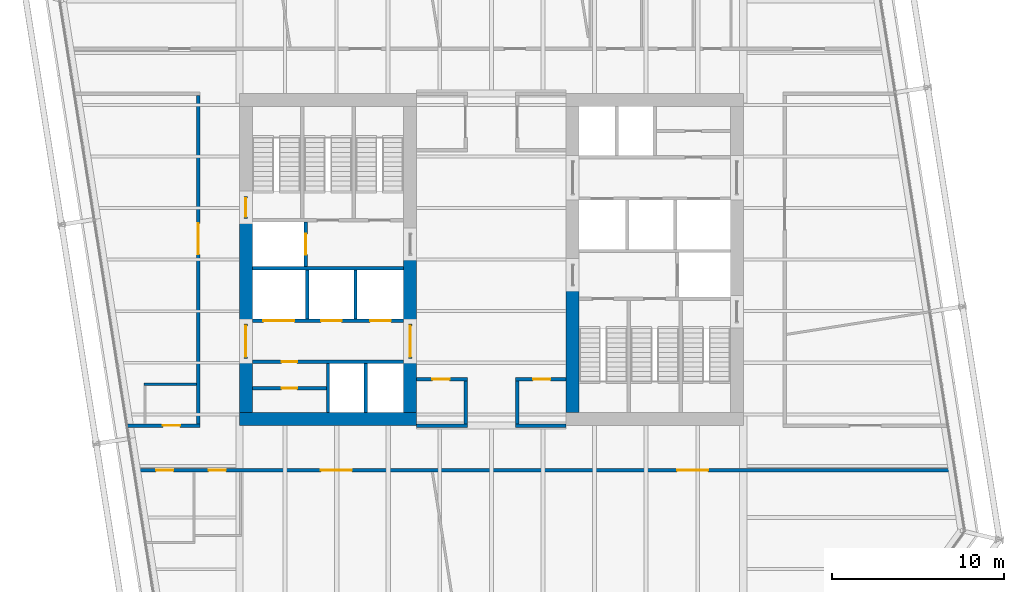
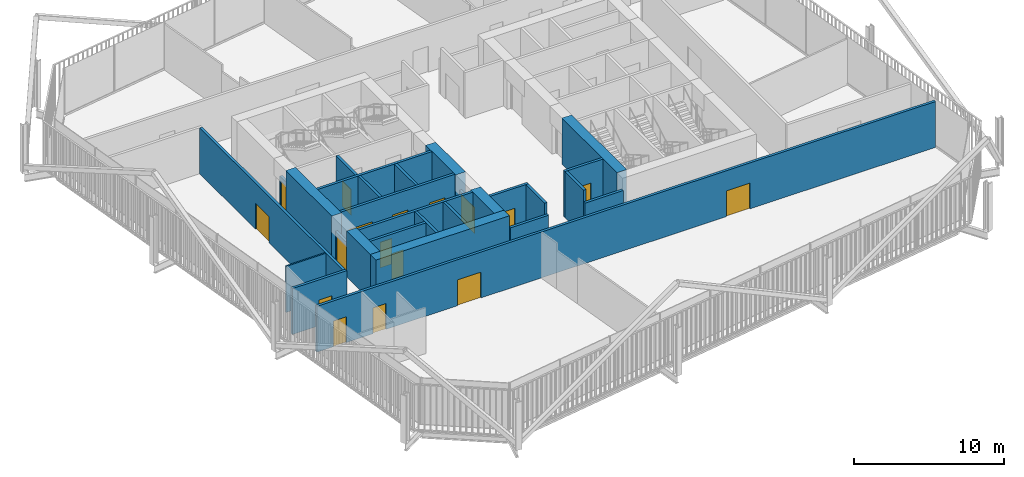
# One storey, part 18 of 22: 28 walls, 17 doors, 17 openings.
"""IFC4 building model written with IfcOpenShell, lengths in metres."""

from ifc_helpers import new_model, si_unit, direction, frame, frame_2d, origin, place, context, subcontext, project, spatial, rectangle, extrude, material, layer, layer_set, type_object, element, fill, save


model = new_model("IFC4")

# Units and contexts
model_context = context("Model", 3, precision=1e-05, world=origin(), true_north=direction((0.0, 1.0)))
body_context = subcontext(model_context, "Body", "Model", "MODEL_VIEW")
ifc_project = project(units=[si_unit("LENGTHUNIT", "METRE"), si_unit("AREAUNIT", "SQUARE_METRE"), si_unit("VOLUMEUNIT", "CUBIC_METRE"), si_unit("PLANEANGLEUNIT", "RADIAN"), si_unit("MASSUNIT", "GRAM", prefix="KILO")], contexts=[model_context])

# Site, building, storey
site_placement = place(None, origin())
site = spatial("IfcSite", under=ifc_project, at=site_placement, CompositionType="ELEMENT")
building_placement = place(site_placement, origin())
building = spatial("IfcBuilding", under=site, at=building_placement, Name="Millrace Tower", CompositionType="ELEMENT")
storey_placement = place(building_placement, frame((0.0, 0.0, 152.89990234375)))
storey = spatial("IfcBuildingStorey", under=building, at=storey_placement, Name="L34", CompositionType="ELEMENT", Elevation=152.89990234375)

# Walls
ifc_material_1 = material(Name="Concrete C70", Category="concrete")
ifc_layer_1 = layer(ifc_material_1, 0.75)
ifc_layer_set_1 = layer_set([ifc_layer_1], Name="Concrete C70")
wall_type_1 = type_object("IfcWallType", Name="Core wall 750 Concrete C70", PredefinedType="SHEAR", material=ifc_layer_set_1)
wall_1_placement = place(storey_placement, frame((-14.64990234375, -9.27490234375, 0.0), z_axis=(0.0, 0.0, 1.0), x_axis=(1.0, 0.0, 0.0)))
element("IfcWall", 1, at=wall_1_placement, inside=storey, type_object=wall_type_1, Name="Core wall W L34", PredefinedType="SHEAR", context=body_context, shape_type="SweptSolid", body=[
    extrude(rectangle(XDim=10.2998046875, YDim=0.75, at=frame_2d((5.14990234375, 0.0))), origin(), (0.0, 0.0, 1.0), 3.739990234375),
])
wall_2_placement = place(storey_placement, frame((-14.27490234375, -8.89990234375, 0.0), z_axis=(0.0, 0.0, 1.0), x_axis=(0.0, 1.0, 0.0)))
element("IfcWall", 2, at=wall_2_placement, inside=storey, type_object=wall_type_1, Name="Core wall W L34", PredefinedType="SHEAR", context=body_context, shape_type="SweptSolid", body=[
    extrude(rectangle(XDim=3.14990234375, YDim=0.75, at=frame_2d((1.574951171875, 0.0))), origin(), (0.0, 0.0, 1.0), 3.739990234375),
])
wall_3_placement = place(storey_placement, frame((-14.27490234375, -3.75, 0.0), z_axis=(0.0, 0.0, 1.0), x_axis=(0.0, 1.0, 0.0)))
element("IfcWall", 3, at=wall_3_placement, inside=storey, type_object=wall_type_1, Name="Core wall W L34", PredefinedType="SHEAR", context=body_context, shape_type="SweptSolid", body=[
    extrude(rectangle(XDim=6.1298828125, YDim=0.75, at=frame_2d((3.06494140625, 0.0))), origin(), (0.0, 0.0, 1.0), 3.739990234375),
])
wall_4_placement = place(storey_placement, frame((-4.72509765625, -8.89990234375, 0.0), z_axis=(0.0, 0.0, 1.0), x_axis=(0.0, 1.0, 0.0)))
element("IfcWall", 4, at=wall_4_placement, inside=storey, type_object=wall_type_1, Name="Core wall W L34", PredefinedType="SHEAR", context=body_context, shape_type="SweptSolid", body=[
    extrude(rectangle(XDim=3.14990234375, YDim=0.75, at=frame_2d((1.574951171875, 0.0))), origin(), (0.0, 0.0, 1.0), 3.739990234375),
])
wall_5_placement = place(storey_placement, frame((-4.72509765625, -3.75, 0.0), z_axis=(0.0, 0.0, 1.0), x_axis=(0.0, 1.0, 0.0)))
element("IfcWall", 5, at=wall_5_placement, inside=storey, type_object=wall_type_1, Name="Core wall W L34", PredefinedType="SHEAR", context=body_context, shape_type="SweptSolid", body=[
    extrude(rectangle(XDim=4.0, YDim=0.75, at=frame_2d((2.0, 0.0))), origin(), (0.0, 0.0, 1.0), 3.739990234375),
])
wall_6_placement = place(storey_placement, frame((4.72509765625, -1.550048828125, 0.0), z_axis=(0.0, 0.0, 1.0), x_axis=(0.0, -1.0, 0.0)))
element("IfcWall", 6, at=wall_6_placement, inside=storey, type_object=wall_type_1, Name="Core wall E L34", PredefinedType="SHEAR", context=body_context, shape_type="SweptSolid", body=[
    extrude(rectangle(XDim=7.349853515625, YDim=0.75, at=frame_2d((3.6748046875, 0.0))), origin(), (0.0, 0.0, 1.0), 3.739990234375),
])

# Wall, openings, doors
ifc_material_2 = material(Name="Masonry partition, fire-rated", Category="masonry")
ifc_layer_2 = layer(ifc_material_2, 0.199951171875)
ifc_layer_set_2 = layer_set([ifc_layer_2], Name="Masonry partition, fire-rated")
wall_type_2 = type_object("IfcWallType", Name="Corridor wall 200", PredefinedType="PARTITIONING", material=ifc_layer_set_2)
wall_7_placement = place(storey_placement, frame((-20.738525390625, -12.25, 0.0), z_axis=(0.0, 0.0, 1.0), x_axis=(1.0, 0.0, 0.0)))
wall_7 = element("IfcWall", 7, at=wall_7_placement, inside=storey, type_object=wall_type_2, Name="Corridor wall L34", PredefinedType="PARTITIONING", context=body_context, shape_type="SweptSolid", body=[
    extrude(rectangle(XDim=47.646484375, YDim=0.199951171875, at=frame_2d((23.8232421875, 0.0))), origin(), (0.0, 0.0, 1.0), 3.739990234375),
])
opening_1_placement = place(wall_7_placement, frame((10.821533203125, 0.0, 0.0)))
opening_1 = element("IfcOpeningElement", 8, at=opening_1_placement, cuts=wall_7, Name="Opening 34-P014", PredefinedType="OPENING", context=body_context, shape_type="SweptSolid", body=[
    extrude(rectangle(XDim=1.800048828125, YDim=2.10009765625, at=frame_2d((0.89990234375, 1.050048828125))), frame((0.0, 0.10986328125, 0.0), z_axis=(0.0, -1.0, 0.0), x_axis=(1.0, 0.0, 0.0)), (0.0, 0.0, 1.0), 0.219970703125),
])
opening_2_placement = place(wall_7_placement, frame((1.25048828125, 0.0, 0.0)))
opening_2 = element("IfcOpeningElement", 9, at=opening_2_placement, cuts=wall_7, Name="Opening 34-P015", PredefinedType="OPENING", context=body_context, shape_type="SweptSolid", body=[
    extrude(rectangle(XDim=1.0, YDim=2.10009765625, at=frame_2d((0.5, 1.050048828125))), frame((0.0, 0.10986328125, 0.0), z_axis=(0.0, -1.0, 0.0), x_axis=(1.0, 0.0, 0.0)), (0.0, 0.0, 1.0), 0.219970703125),
])
opening_3_placement = place(wall_7_placement, frame((4.300537109375, 0.0, 0.0)))
opening_3 = element("IfcOpeningElement", 10, at=opening_3_placement, cuts=wall_7, Name="Opening 34-P016", PredefinedType="OPENING", context=body_context, shape_type="SweptSolid", body=[
    extrude(rectangle(XDim=1.0, YDim=2.10009765625, at=frame_2d((0.5, 1.050048828125))), frame((0.0, 0.10986328125, 0.0), z_axis=(0.0, -1.0, 0.0), x_axis=(1.0, 0.0, 0.0)), (0.0, 0.0, 1.0), 0.219970703125),
])
opening_4_placement = place(wall_7_placement, frame((31.5439453125, 0.0, 0.0)))
opening_4 = element("IfcOpeningElement", 11, at=opening_4_placement, cuts=wall_7, Name="Opening 34-P017", PredefinedType="OPENING", context=body_context, shape_type="SweptSolid", body=[
    extrude(rectangle(XDim=1.800048828125, YDim=2.10009765625, at=frame_2d((0.89990234375, 1.050048828125))), frame((0.0, 0.10986328125, 0.0), z_axis=(0.0, -1.0, 0.0), x_axis=(1.0, 0.0, 0.0)), (0.0, 0.0, 1.0), 0.219970703125),
])
ifc_material_3 = material(Name="Steel door set, fire-rated", Category="steel")
door_type_1 = type_object("IfcDoorType", Name="Corridor door 1000 x 2100", OperationType="SINGLE_SWING_LEFT", PredefinedType="DOOR", material=ifc_material_3)
door_1_placement = place(opening_2_placement, frame((1.0, 0.0, 0.0), z_axis=(0.0, 0.0, 1.0), x_axis=(-1.0, 0.0, 0.0)))
door_1 = element("IfcDoor", 12, at=door_1_placement, inside=storey, type_object=door_type_1, Name="Door 34-P015", OperationType="SINGLE_SWING_RIGHT", OverallHeight=2.10009765625, OverallWidth=1.0, PredefinedType="DOOR", context=body_context, shape_type="SweptSolid", body=[
    extrude(rectangle(XDim=1.0, YDim=2.10009765625, at=frame_2d((0.5, 1.050048828125))), frame((0.0, 0.02490234375, 0.0), z_axis=(0.0, -1.0, 0.0), x_axis=(1.0, 0.0, 0.0)), (0.0, 0.0, 1.0), 0.050048828125),
])
fill(opening_2, door_1)
door_2_placement = place(opening_3_placement, frame((1.0, 0.0, 0.0), z_axis=(0.0, 0.0, 1.0), x_axis=(-1.0, 0.0, 0.0)))
door_2 = element("IfcDoor", 13, at=door_2_placement, inside=storey, type_object=door_type_1, Name="Door 34-P016", OperationType="SINGLE_SWING_RIGHT", OverallHeight=2.10009765625, OverallWidth=1.0, PredefinedType="DOOR", context=body_context, shape_type="SweptSolid", body=[
    extrude(rectangle(XDim=1.0, YDim=2.10009765625, at=frame_2d((0.5, 1.050048828125))), frame((0.0, 0.02490234375, 0.0), z_axis=(0.0, -1.0, 0.0), x_axis=(1.0, 0.0, 0.0)), (0.0, 0.0, 1.0), 0.050048828125),
])
fill(opening_3, door_2)
ifc_material_4 = material(Name="Steel door set, fire-rated", Category="steel")
door_type_2 = type_object("IfcDoorType", Name="Corridor door 1800 x 2100", OperationType="DOUBLE_DOOR_SINGLE_SWING", PredefinedType="DOOR", material=ifc_material_4)
door_3_placement = place(opening_1_placement, origin())
door_3 = element("IfcDoor", 14, at=door_3_placement, inside=storey, type_object=door_type_2, Name="Door 34-P014", OperationType="DOUBLE_DOOR_SINGLE_SWING", OverallHeight=2.10009765625, OverallWidth=1.800048828125, PredefinedType="DOOR", context=body_context, shape_type="SweptSolid", body=[
    extrude(rectangle(XDim=1.800048828125, YDim=2.10009765625, at=frame_2d((0.89990234375, 1.050048828125))), frame((0.0, 0.02490234375, 0.0), z_axis=(0.0, -1.0, 0.0), x_axis=(1.0, 0.0, 0.0)), (0.0, 0.0, 1.0), 0.050048828125),
])
fill(opening_1, door_3)
door_4_placement = place(opening_4_placement, origin())
door_4 = element("IfcDoor", 15, at=door_4_placement, inside=storey, type_object=door_type_2, Name="Door 34-P017", OperationType="DOUBLE_DOOR_SINGLE_SWING", OverallHeight=2.10009765625, OverallWidth=1.800048828125, PredefinedType="DOOR", context=body_context, shape_type="SweptSolid", body=[
    extrude(rectangle(XDim=1.800048828125, YDim=2.10009765625, at=frame_2d((0.89990234375, 1.050048828125))), frame((0.0, 0.02490234375, 0.0), z_axis=(0.0, -1.0, 0.0), x_axis=(1.0, 0.0, 0.0)), (0.0, 0.0, 1.0), 0.050048828125),
])
fill(opening_4, door_4)

# Wall, opening, door
wall_8_placement = place(storey_placement, frame((-21.150390625, -9.64990234375, 0.0), z_axis=(0.0, 0.0, 1.0), x_axis=(1.0, 0.0, 0.0)))
wall_8 = element("IfcWall", 16, at=wall_8_placement, inside=storey, type_object=wall_type_2, Name="Corridor wall L34", PredefinedType="PARTITIONING", context=body_context, shape_type="SweptSolid", body=[
    extrude(rectangle(XDim=4.200439453125, YDim=0.199951171875, at=frame_2d((2.10009765625, 0.0))), origin(), (0.0, 0.0, 1.0), 3.739990234375),
])
opening_5_placement = place(wall_8_placement, frame((2.05029296875, 0.0, 0.0)))
opening_5 = element("IfcOpeningElement", 17, at=opening_5_placement, cuts=wall_8, Name="Opening 34-P019", PredefinedType="OPENING", context=body_context, shape_type="SweptSolid", body=[
    extrude(rectangle(XDim=1.0, YDim=2.10009765625, at=frame_2d((0.5, 1.050048828125))), frame((0.0, 0.10986328125, 0.0), z_axis=(0.0, -1.0, 0.0), x_axis=(1.0, 0.0, 0.0)), (0.0, 0.0, 1.0), 0.219970703125),
])
door_5_placement = place(opening_5_placement, origin())
door_5 = element("IfcDoor", 18, at=door_5_placement, inside=storey, type_object=door_type_1, Name="Door 34-P019", OperationType="SINGLE_SWING_RIGHT", OverallHeight=2.10009765625, OverallWidth=1.0, PredefinedType="DOOR", context=body_context, shape_type="SweptSolid", body=[
    extrude(rectangle(XDim=1.0, YDim=2.10009765625, at=frame_2d((0.5, 1.050048828125))), frame((0.0, 0.02490234375, 0.0), z_axis=(0.0, -1.0, 0.0), x_axis=(1.0, 0.0, 0.0)), (0.0, 0.0, 1.0), 0.050048828125),
])
fill(opening_5, door_5)

# Walls
for number, where, z_axis, x_axis, name in (
    (19, (-4.35009765625, -9.64990234375, 0.0), (0.0, 0.0, 1.0), (1.0, 0.0, 0.0), "Corridor wall L34"),
    (20, (1.39990234375, -9.64990234375, 0.0), (0.0, 0.0, 1.0), (1.0, 0.0, 0.0), "Corridor wall L34"),
):
    element("IfcWall", number, at=place(storey_placement, frame(where, z_axis=z_axis, x_axis=x_axis)), inside=storey, type_object=wall_type_2, Name=name, PredefinedType="PARTITIONING", context=body_context, shape_type="SweptSolid", body=[
        extrude(rectangle(XDim=2.9501953125, YDim=0.199951171875, at=frame_2d((1.47509765625, 0.0))), origin(), (0.0, 0.0, 1.0), 2.81298828125),
    ])

# Wall, opening, door
wall_9_placement = place(storey_placement, frame((-4.35009765625, -6.949951171875, 0.0), z_axis=(0.0, 0.0, 1.0), x_axis=(1.0, 0.0, 0.0)))
wall_9 = element("IfcWall", 21, at=wall_9_placement, inside=storey, type_object=wall_type_2, Name="Corridor wall L34", PredefinedType="PARTITIONING", context=body_context, shape_type="SweptSolid", body=[
    extrude(rectangle(XDim=2.9501953125, YDim=0.199951171875, at=frame_2d((1.47509765625, 0.0))), origin(), (0.0, 0.0, 1.0), 3.739990234375),
])
opening_6_placement = place(wall_9_placement, frame((0.925048828125, 0.0, 0.0)))
opening_6 = element("IfcOpeningElement", 22, at=opening_6_placement, cuts=wall_9, Name="Opening 34-P003", PredefinedType="OPENING", context=body_context, shape_type="SweptSolid", body=[
    extrude(rectangle(XDim=1.0, YDim=2.10009765625, at=frame_2d((0.5, 1.050048828125))), frame((0.0, 0.10986328125, 0.0), z_axis=(0.0, -1.0, 0.0), x_axis=(1.0, 0.0, 0.0)), (0.0, 0.0, 1.0), 0.219970703125),
])
door_6_placement = place(opening_6_placement, frame((1.0, 0.0, 0.0), z_axis=(0.0, 0.0, 1.0), x_axis=(-1.0, 0.0, 0.0)))
door_6 = element("IfcDoor", 23, at=door_6_placement, inside=storey, type_object=door_type_1, Name="Door 34-P003", OperationType="SINGLE_SWING_RIGHT", OverallHeight=2.10009765625, OverallWidth=1.0, PredefinedType="DOOR", context=body_context, shape_type="SweptSolid", body=[
    extrude(rectangle(XDim=1.0, YDim=2.10009765625, at=frame_2d((0.5, 1.050048828125))), frame((0.0, 0.02490234375, 0.0), z_axis=(0.0, -1.0, 0.0), x_axis=(1.0, 0.0, 0.0)), (0.0, 0.0, 1.0), 0.050048828125),
])
fill(opening_6, door_6)

wall_10_placement = place(storey_placement, frame((1.39990234375, -6.949951171875, 0.0), z_axis=(0.0, 0.0, 1.0), x_axis=(1.0, 0.0, 0.0)))
wall_10 = element("IfcWall", 24, at=wall_10_placement, inside=storey, type_object=wall_type_2, Name="Corridor wall L34", PredefinedType="PARTITIONING", context=body_context, shape_type="SweptSolid", body=[
    extrude(rectangle(XDim=2.9501953125, YDim=0.199951171875, at=frame_2d((1.47509765625, 0.0))), origin(), (0.0, 0.0, 1.0), 3.739990234375),
])
opening_7_placement = place(wall_10_placement, frame((1.02490234375, 0.0, 0.0)))
opening_7 = element("IfcOpeningElement", 25, at=opening_7_placement, cuts=wall_10, Name="Opening 34-P004", PredefinedType="OPENING", context=body_context, shape_type="SweptSolid", body=[
    extrude(rectangle(XDim=1.0, YDim=2.10009765625, at=frame_2d((0.5, 1.050048828125))), frame((0.0, 0.10986328125, 0.0), z_axis=(0.0, -1.0, 0.0), x_axis=(1.0, 0.0, 0.0)), (0.0, 0.0, 1.0), 0.219970703125),
])
door_7_placement = place(opening_7_placement, frame((1.0, 0.0, 0.0), z_axis=(0.0, 0.0, 1.0), x_axis=(-1.0, 0.0, 0.0)))
door_7 = element("IfcDoor", 26, at=door_7_placement, inside=storey, type_object=door_type_1, Name="Door 34-P004", OperationType="SINGLE_SWING_RIGHT", OverallHeight=2.10009765625, OverallWidth=1.0, PredefinedType="DOOR", context=body_context, shape_type="SweptSolid", body=[
    extrude(rectangle(XDim=1.0, YDim=2.10009765625, at=frame_2d((0.5, 1.050048828125))), frame((0.0, 0.02490234375, 0.0), z_axis=(0.0, -1.0, 0.0), x_axis=(1.0, 0.0, 0.0)), (0.0, 0.0, 1.0), 0.050048828125),
])
fill(opening_7, door_7)

# Walls
for number, where, z_axis, x_axis, name in (
    (27, (1.5, -9.550048828125, 0.0), (0.0, 0.0, 1.0), (0.0, 1.0, 0.0), "Corridor wall L34"),
    (28, (-1.5, -9.550048828125, 0.0), (0.0, 0.0, 1.0), (0.0, 1.0, 0.0), "Corridor wall L34"),
):
    element("IfcWall", number, at=place(storey_placement, frame(where, z_axis=z_axis, x_axis=x_axis)), inside=storey, type_object=wall_type_2, Name=name, PredefinedType="PARTITIONING", context=body_context, shape_type="SweptSolid", body=[
        extrude(rectangle(XDim=2.5, YDim=0.199951171875, at=frame_2d((1.25, 0.0))), origin(), (0.0, 0.0, 1.0), 3.739990234375),
    ])

# Wall, opening, door
wall_11_placement = place(storey_placement, frame((-17.050048828125, -9.550048828125, 0.0), z_axis=(0.0, 0.0, 1.0), x_axis=(0.0, 1.0, 0.0)))
wall_11 = element("IfcWall", 29, at=wall_11_placement, inside=storey, type_object=wall_type_2, Name="Corridor wall L34", PredefinedType="PARTITIONING", context=body_context, shape_type="SweptSolid", body=[
    extrude(rectangle(XDim=19.10009765625, YDim=0.199951171875, at=frame_2d((9.550048828125, 0.0))), origin(), (0.0, 0.0, 1.0), 3.739990234375),
])
opening_8_placement = place(wall_11_placement, frame((9.85009765625, 0.0, 0.0)))
opening_8 = element("IfcOpeningElement", 30, at=opening_8_placement, cuts=wall_11, Name="Opening 34-P018", PredefinedType="OPENING", context=body_context, shape_type="SweptSolid", body=[
    extrude(rectangle(XDim=1.800048828125, YDim=2.10009765625, at=frame_2d((0.89990234375, 1.050048828125))), frame((0.0, 0.10986328125, 0.0), z_axis=(0.0, -1.0, 0.0), x_axis=(1.0, 0.0, 0.0)), (0.0, 0.0, 1.0), 0.219970703125),
])
door_8_placement = place(opening_8_placement, origin())
door_8 = element("IfcDoor", 31, at=door_8_placement, inside=storey, type_object=door_type_2, Name="Door 34-P018", OperationType="DOUBLE_DOOR_SINGLE_SWING", OverallHeight=2.10009765625, OverallWidth=1.800048828125, PredefinedType="DOOR", context=body_context, shape_type="SweptSolid", body=[
    extrude(rectangle(XDim=1.800048828125, YDim=2.10009765625, at=frame_2d((0.89990234375, 1.050048828125))), frame((0.0, 0.02490234375, 0.0), z_axis=(0.0, -1.0, 0.0), x_axis=(1.0, 0.0, 0.0)), (0.0, 0.0, 1.0), 0.050048828125),
])
fill(opening_8, door_8)

ifc_material_5 = material(Name="Masonry partition, fire-rated", Category="masonry")
ifc_layer_3 = layer(ifc_material_5, 0.199951171875)
ifc_layer_set_3 = layer_set([ifc_layer_3], Name="Masonry partition, fire-rated")
wall_type_3 = type_object("IfcWallType", Name="Lift shaft wall 200", PredefinedType="PARTITIONING", material=ifc_layer_set_3)
wall_12_placement = place(storey_placement, frame((-13.89990234375, -5.949951171875, 0.0), z_axis=(0.0, 0.0, 1.0), x_axis=(1.0, 0.0, 0.0)))
wall_12 = element("IfcWall", 32, at=wall_12_placement, inside=storey, type_object=wall_type_3, Name="Lift shaft wall W L34", PredefinedType="PARTITIONING", context=body_context, shape_type="SweptSolid", body=[
    extrude(rectangle(XDim=8.7998046875, YDim=0.199951171875, at=frame_2d((4.39990234375, 0.0))), origin(), (0.0, 0.0, 1.0), 3.739990234375),
])
opening_9_placement = place(wall_12_placement, frame((1.699951171875, 0.0, 0.0)))
opening_9 = element("IfcOpeningElement", 33, at=opening_9_placement, cuts=wall_12, Name="Opening 34-C005", PredefinedType="OPENING", context=body_context, shape_type="SweptSolid", body=[
    extrude(rectangle(XDim=0.89990234375, YDim=2.10009765625, at=frame_2d((0.449951171875, 1.050048828125))), frame((0.0, 0.10986328125, 0.0), z_axis=(0.0, -1.0, 0.0), x_axis=(1.0, 0.0, 0.0)), (0.0, 0.0, 1.0), 0.219970703125),
])
ifc_material_6 = material(Name="Steel door, fire-rated", Category="steel")
door_type_3 = type_object("IfcDoorType", Name="Service room door 900 x 2100", OperationType="SINGLE_SWING_LEFT", PredefinedType="DOOR", material=ifc_material_6)
door_9_placement = place(opening_9_placement, origin())
door_9 = element("IfcDoor", 34, at=door_9_placement, inside=storey, type_object=door_type_3, Name="Service room door 34-C005", OperationType="SINGLE_SWING_LEFT", OverallHeight=2.10009765625, OverallWidth=0.89990234375, PredefinedType="DOOR", context=body_context, shape_type="SweptSolid", body=[
    extrude(rectangle(XDim=0.89990234375, YDim=2.10009765625, at=frame_2d((0.449951171875, 1.050048828125))), frame((0.0, 0.02490234375, 0.0), z_axis=(0.0, -1.0, 0.0), x_axis=(1.0, 0.0, 0.0)), (0.0, 0.0, 1.0), 0.050048828125),
])
fill(opening_9, door_9)

# Wall, openings, doors
wall_13_placement = place(storey_placement, frame((-13.89990234375, -3.550048828125, 0.0), z_axis=(0.0, 0.0, 1.0), x_axis=(1.0, 0.0, 0.0)))
wall_13 = element("IfcWall", 35, at=wall_13_placement, inside=storey, type_object=wall_type_3, Name="Lift shaft wall W L34", PredefinedType="PARTITIONING", context=body_context, shape_type="SweptSolid", body=[
    extrude(rectangle(XDim=8.7998046875, YDim=0.199951171875, at=frame_2d((4.39990234375, 0.0))), origin(), (0.0, 0.0, 1.0), 3.739990234375),
])
opening_10_placement = place(wall_13_placement, frame((0.64990234375, 0.0, 0.0)))
opening_10 = element("IfcOpeningElement", 36, at=opening_10_placement, cuts=wall_13, Name="Opening 34-LD05", PredefinedType="OPENING", context=body_context, shape_type="SweptSolid", body=[
    extrude(rectangle(XDim=1.800048828125, YDim=2.10009765625, at=frame_2d((0.89990234375, 1.050048828125))), frame((0.0, 0.10986328125, 0.0), z_axis=(0.0, -1.0, 0.0), x_axis=(1.0, 0.0, 0.0)), (0.0, 0.0, 1.0), 0.219970703125),
])
opening_11_placement = place(wall_13_placement, frame((4.0, 0.0, 0.0)))
opening_11 = element("IfcOpeningElement", 37, at=opening_11_placement, cuts=wall_13, Name="Opening 34-LD06", PredefinedType="OPENING", context=body_context, shape_type="SweptSolid", body=[
    extrude(rectangle(XDim=1.199951171875, YDim=2.10009765625, at=frame_2d((0.60009765625, 1.050048828125))), frame((0.0, 0.10986328125, 0.0), z_axis=(0.0, -1.0, 0.0), x_axis=(1.0, 0.0, 0.0)), (0.0, 0.0, 1.0), 0.219970703125),
])
opening_12_placement = place(wall_13_placement, frame((6.85009765625, 0.0, 0.0)))
opening_12 = element("IfcOpeningElement", 38, at=opening_12_placement, cuts=wall_13, Name="Opening 34-LD07", PredefinedType="OPENING", context=body_context, shape_type="SweptSolid", body=[
    extrude(rectangle(XDim=1.199951171875, YDim=2.10009765625, at=frame_2d((0.60009765625, 1.050048828125))), frame((0.0, 0.10986328125, 0.0), z_axis=(0.0, -1.0, 0.0), x_axis=(1.0, 0.0, 0.0)), (0.0, 0.0, 1.0), 0.219970703125),
])
ifc_material_7 = material(Name="Stainless steel, fire-rated", Category="steel")
door_type_4 = type_object("IfcDoorType", Name="Lift landing door 1200 x 2100", OperationType="DOUBLE_DOOR_SLIDING", PredefinedType="DOOR", material=ifc_material_7)
door_10_placement = place(opening_11_placement, origin())
door_10 = element("IfcDoor", 39, at=door_10_placement, inside=storey, type_object=door_type_4, Name="Lift landing door LF6 L34", OperationType="DOUBLE_DOOR_SLIDING", OverallHeight=2.10009765625, OverallWidth=1.199951171875, PredefinedType="DOOR", context=body_context, shape_type="SweptSolid", body=[
    extrude(rectangle(XDim=1.199951171875, YDim=2.10009765625, at=frame_2d((0.60009765625, 1.050048828125))), frame((0.0, 0.02490234375, 0.0), z_axis=(0.0, -1.0, 0.0), x_axis=(1.0, 0.0, 0.0)), (0.0, 0.0, 1.0), 0.050048828125),
])
fill(opening_11, door_10)
door_11_placement = place(opening_12_placement, origin())
door_11 = element("IfcDoor", 40, at=door_11_placement, inside=storey, type_object=door_type_4, Name="Lift landing door LF7 L34", OperationType="DOUBLE_DOOR_SLIDING", OverallHeight=2.10009765625, OverallWidth=1.199951171875, PredefinedType="DOOR", context=body_context, shape_type="SweptSolid", body=[
    extrude(rectangle(XDim=1.199951171875, YDim=2.10009765625, at=frame_2d((0.60009765625, 1.050048828125))), frame((0.0, 0.02490234375, 0.0), z_axis=(0.0, -1.0, 0.0), x_axis=(1.0, 0.0, 0.0)), (0.0, 0.0, 1.0), 0.050048828125),
])
fill(opening_12, door_11)
ifc_material_8 = material(Name="Stainless steel, fire-rated", Category="steel")
door_type_5 = type_object("IfcDoorType", Name="Lift landing door 1800 x 2100", OperationType="DOUBLE_DOOR_SLIDING", PredefinedType="DOOR", material=ifc_material_8)
door_12_placement = place(opening_10_placement, origin())
door_12 = element("IfcDoor", 41, at=door_12_placement, inside=storey, type_object=door_type_5, Name="Lift landing door LF5 L34", OperationType="DOUBLE_DOOR_SLIDING", OverallHeight=2.10009765625, OverallWidth=1.800048828125, PredefinedType="DOOR", context=body_context, shape_type="SweptSolid", body=[
    extrude(rectangle(XDim=1.800048828125, YDim=2.10009765625, at=frame_2d((0.89990234375, 1.050048828125))), frame((0.0, 0.02490234375, 0.0), z_axis=(0.0, -1.0, 0.0), x_axis=(1.0, 0.0, 0.0)), (0.0, 0.0, 1.0), 0.050048828125),
])
fill(opening_10, door_12)

# Wall
wall_14_placement = place(storey_placement, frame((-13.89990234375, -0.5, 0.0), z_axis=(0.0, 0.0, 1.0), x_axis=(1.0, 0.0, 0.0)))
element("IfcWall", 42, at=wall_14_placement, inside=storey, type_object=wall_type_3, Name="Lift shaft wall W L34", PredefinedType="PARTITIONING", context=body_context, shape_type="SweptSolid", body=[
    extrude(rectangle(XDim=8.7998046875, YDim=0.199951171875, at=frame_2d((4.39990234375, 0.0))), origin(), (0.0, 0.0, 1.0), 3.739990234375),
])

# Wall, opening, door
wall_15_placement = place(storey_placement, frame((-10.800048828125, -0.39990234375, 0.0), z_axis=(0.0, 0.0, 1.0), x_axis=(0.0, 1.0, 0.0)))
wall_15 = element("IfcWall", 43, at=wall_15_placement, inside=storey, type_object=wall_type_3, Name="Lift shaft wall W L34", PredefinedType="PARTITIONING", context=body_context, shape_type="SweptSolid", body=[
    extrude(rectangle(XDim=2.579833984375, YDim=0.199951171875, at=frame_2d((1.2900390625, 0.0))), origin(), (0.0, 0.0, 1.0), 3.739990234375),
])
opening_13_placement = place(wall_15_placement, frame((0.68994140625, 0.0, 0.0)))
opening_13 = element("IfcOpeningElement", 44, at=opening_13_placement, cuts=wall_15, Name="Opening 34-LD08", PredefinedType="OPENING", context=body_context, shape_type="SweptSolid", body=[
    extrude(rectangle(XDim=1.199951171875, YDim=2.10009765625, at=frame_2d((0.60009765625, 1.050048828125))), frame((0.0, 0.10986328125, 0.0), z_axis=(0.0, -1.0, 0.0), x_axis=(1.0, 0.0, 0.0)), (0.0, 0.0, 1.0), 0.219970703125),
])
door_13_placement = place(opening_13_placement, origin())
door_13 = element("IfcDoor", 45, at=door_13_placement, inside=storey, type_object=door_type_4, Name="Lift landing door LF8 L34", OperationType="DOUBLE_DOOR_SLIDING", OverallHeight=2.10009765625, OverallWidth=1.199951171875, PredefinedType="DOOR", context=body_context, shape_type="SweptSolid", body=[
    extrude(rectangle(XDim=1.199951171875, YDim=2.10009765625, at=frame_2d((0.60009765625, 1.050048828125))), frame((0.0, 0.02490234375, 0.0), z_axis=(0.0, -1.0, 0.0), x_axis=(1.0, 0.0, 0.0)), (0.0, 0.0, 1.0), 0.050048828125),
])
fill(opening_13, door_13)

# Walls
for number, where, z_axis, x_axis, name in (
    (46, (-9.5, -8.89990234375, 0.0), (0.0, 0.0, 1.0), (0.0, 1.0, 0.0), "Lift shaft wall W L34"),
    (47, (-7.300048828125, -8.89990234375, 0.0), (0.0, 0.0, 1.0), (0.0, 1.0, 0.0), "Lift shaft wall W L34"),
    (48, (-10.699951171875, -3.449951171875, 0.0), (0.0, 0.0, 1.0), (0.0, 1.0, 0.0), "Lift shaft wall W L34"),
    (49, (-7.89990234375, -3.449951171875, 0.0), (0.0, 0.0, 1.0), (0.0, 1.0, 0.0), "Lift shaft wall W L34"),
):
    element("IfcWall", number, at=place(storey_placement, frame(where, z_axis=z_axis, x_axis=x_axis)), inside=storey, type_object=wall_type_3, Name=name, PredefinedType="PARTITIONING", context=body_context, shape_type="SweptSolid", body=[
        extrude(rectangle(XDim=2.849853515625, YDim=0.199951171875, at=frame_2d((1.4248046875, 0.0))), origin(), (0.0, 0.0, 1.0), 3.739990234375),
    ])

# Wall, opening, door
ifc_material_9 = material(Name="Masonry partition, fire-rated", Category="masonry")
ifc_layer_4 = layer(ifc_material_9, 0.199951171875)
ifc_layer_set_4 = layer_set([ifc_layer_4], Name="Masonry partition, fire-rated")
wall_type_4 = type_object("IfcWallType", Name="Lobby wall 200", PredefinedType="PARTITIONING", material=ifc_layer_set_4)
wall_16_placement = place(storey_placement, frame((-14.27490234375, -5.75, 0.0), z_axis=(0.0, 0.0, 1.0), x_axis=(0.0, 1.0, 0.0)))
wall_16 = element("IfcWall", 50, at=wall_16_placement, inside=storey, type_object=wall_type_4, Name="Lobby wall W L34", PredefinedType="PARTITIONING", context=body_context, shape_type="SweptSolid", body=[
    extrude(rectangle(XDim=2.0, YDim=0.199951171875, at=frame_2d((1.0, 0.0))), origin(), (0.0, 0.0, 1.0), 2.400146484375),
])
opening_14_placement = place(wall_16_placement, frame((0.10009765625, 0.0, 0.0)))
opening_14 = element("IfcOpeningElement", 51, at=opening_14_placement, cuts=wall_16, Name="Opening 34-C001", PredefinedType="OPENING", context=body_context, shape_type="SweptSolid", body=[
    extrude(rectangle(XDim=1.800048828125, YDim=2.10009765625, at=frame_2d((0.89990234375, 1.050048828125))), frame((0.0, 0.10986328125, 0.0), z_axis=(0.0, -1.0, 0.0), x_axis=(1.0, 0.0, 0.0)), (0.0, 0.0, 1.0), 0.219970703125),
])
ifc_material_10 = material(Name="Steel door, fire-rated", Category="steel")
door_type_6 = type_object("IfcDoorType", Name="Lobby door 1800 x 2100", OperationType="DOUBLE_DOOR_SINGLE_SWING", PredefinedType="DOOR", material=ifc_material_10)
door_14_placement = place(opening_14_placement, origin())
door_14 = element("IfcDoor", 52, at=door_14_placement, inside=storey, type_object=door_type_6, Name="Lobby door 34-C001", OperationType="DOUBLE_DOOR_SINGLE_SWING", OverallHeight=2.10009765625, OverallWidth=1.800048828125, PredefinedType="DOOR", context=body_context, shape_type="SweptSolid", body=[
    extrude(rectangle(XDim=1.800048828125, YDim=2.10009765625, at=frame_2d((0.89990234375, 1.050048828125))), frame((0.0, 0.02490234375, 0.0), z_axis=(0.0, -1.0, 0.0), x_axis=(1.0, 0.0, 0.0)), (0.0, 0.0, 1.0), 0.050048828125),
])
fill(opening_14, door_14)

wall_17_placement = place(storey_placement, frame((-4.72509765625, -5.75, 0.0), z_axis=(0.0, 0.0, 1.0), x_axis=(0.0, 1.0, 0.0)))
wall_17 = element("IfcWall", 53, at=wall_17_placement, inside=storey, type_object=wall_type_4, Name="Lobby wall W L34", PredefinedType="PARTITIONING", context=body_context, shape_type="SweptSolid", body=[
    extrude(rectangle(XDim=2.0, YDim=0.199951171875, at=frame_2d((1.0, 0.0))), origin(), (0.0, 0.0, 1.0), 2.400146484375),
])
opening_15_placement = place(wall_17_placement, frame((0.10009765625, 0.0, 0.0)))
opening_15 = element("IfcOpeningElement", 54, at=opening_15_placement, cuts=wall_17, Name="Opening 34-C003", PredefinedType="OPENING", context=body_context, shape_type="SweptSolid", body=[
    extrude(rectangle(XDim=1.800048828125, YDim=2.10009765625, at=frame_2d((0.89990234375, 1.050048828125))), frame((0.0, 0.10986328125, 0.0), z_axis=(0.0, -1.0, 0.0), x_axis=(1.0, 0.0, 0.0)), (0.0, 0.0, 1.0), 0.219970703125),
])
door_15_placement = place(opening_15_placement, origin())
door_15 = element("IfcDoor", 55, at=door_15_placement, inside=storey, type_object=door_type_6, Name="Lobby door 34-C003", OperationType="DOUBLE_DOOR_SINGLE_SWING", OverallHeight=2.10009765625, OverallWidth=1.800048828125, PredefinedType="DOOR", context=body_context, shape_type="SweptSolid", body=[
    extrude(rectangle(XDim=1.800048828125, YDim=2.10009765625, at=frame_2d((0.89990234375, 1.050048828125))), frame((0.0, 0.02490234375, 0.0), z_axis=(0.0, -1.0, 0.0), x_axis=(1.0, 0.0, 0.0)), (0.0, 0.0, 1.0), 0.050048828125),
])
fill(opening_15, door_15)

# Wall
ifc_material_11 = material(Name="Gypsum board partition")
ifc_layer_5 = layer(ifc_material_11, 0.1201171875)
ifc_layer_set_5 = layer_set([ifc_layer_5], Name="Gypsum board partition")
wall_type_5 = type_object("IfcWallType", Name="Partition wall 120", PredefinedType="PARTITIONING", material=ifc_layer_set_5)
wall_18_placement = place(storey_placement, frame((-20.2099609375, -7.25, 0.0), z_axis=(0.0, 0.0, 1.0), x_axis=(1.0, 0.0, 0.0)))
element("IfcWall", 56, at=wall_18_placement, inside=storey, type_object=wall_type_5, Name="Partition wall L34", PredefinedType="PARTITIONING", context=body_context, shape_type="SweptSolid", body=[
    extrude(rectangle(XDim=3.06005859375, YDim=0.1201171875, at=frame_2d((1.530029296875, 0.0))), origin(), (0.0, 0.0, 1.0), 3.739990234375),
])

# Wall, opening, door
ifc_material_12 = material(Name="Masonry partition, fire-rated", Category="masonry")
ifc_layer_6 = layer(ifc_material_12, 0.199951171875)
ifc_layer_set_6 = layer_set([ifc_layer_6], Name="Masonry partition, fire-rated")
wall_type_6 = type_object("IfcWallType", Name="Room partition 200", PredefinedType="PARTITIONING", material=ifc_layer_set_6)
wall_19_placement = place(storey_placement, frame((-13.89990234375, -7.47509765625, 0.0), z_axis=(0.0, 0.0, 1.0), x_axis=(1.0, 0.0, 0.0)))
wall_19 = element("IfcWall", 57, at=wall_19_placement, inside=storey, type_object=wall_type_6, Name="Room partition W L34", PredefinedType="PARTITIONING", context=body_context, shape_type="SweptSolid", body=[
    extrude(rectangle(XDim=4.2998046875, YDim=0.199951171875, at=frame_2d((2.14990234375, 0.0))), origin(), (0.0, 0.0, 1.0), 3.739990234375),
])
opening_16_placement = place(wall_19_placement, frame((1.699951171875, 0.0, 0.0)))
opening_16 = element("IfcOpeningElement", 58, at=opening_16_placement, cuts=wall_19, Name="Opening 34-C006", PredefinedType="OPENING", context=body_context, shape_type="SweptSolid", body=[
    extrude(rectangle(XDim=0.89990234375, YDim=2.10009765625, at=frame_2d((0.449951171875, 1.050048828125))), frame((0.0, 0.10986328125, 0.0), z_axis=(0.0, -1.0, 0.0), x_axis=(1.0, 0.0, 0.0)), (0.0, 0.0, 1.0), 0.219970703125),
])
door_16_placement = place(opening_16_placement, frame((0.89990234375, 0.0, 0.0), z_axis=(0.0, 0.0, 1.0), x_axis=(-1.0, 0.0, 0.0)))
door_16 = element("IfcDoor", 59, at=door_16_placement, inside=storey, type_object=door_type_3, Name="Service room door 34-C006", OperationType="SINGLE_SWING_LEFT", OverallHeight=2.10009765625, OverallWidth=0.89990234375, PredefinedType="DOOR", context=body_context, shape_type="SweptSolid", body=[
    extrude(rectangle(XDim=0.89990234375, YDim=2.10009765625, at=frame_2d((0.449951171875, 1.050048828125))), frame((0.0, 0.02490234375, 0.0), z_axis=(0.0, -1.0, 0.0), x_axis=(1.0, 0.0, 0.0)), (0.0, 0.0, 1.0), 0.050048828125),
])
fill(opening_16, door_16)

ifc_material_13 = material(Name="Concrete C40", Category="concrete")
ifc_layer_7 = layer(ifc_material_13, 0.199951171875)
ifc_layer_set_7 = layer_set([ifc_layer_7], Name="Concrete C40")
wall_type_7 = type_object("IfcWallType", Name="Stair enclosure wall 200 Concrete C40", PredefinedType="SHEAR", material=ifc_layer_set_7)
wall_20_placement = place(storey_placement, frame((-14.27490234375, 2.3798828125, 0.0), z_axis=(0.0, 0.0, 1.0), x_axis=(0.0, 1.0, 0.0)))
wall_20 = element("IfcWall", 60, at=wall_20_placement, inside=storey, type_object=wall_type_7, Name="Stair enclosure wall W L34", PredefinedType="SHEAR", context=body_context, shape_type="SweptSolid", body=[
    extrude(rectangle(XDim=1.300048828125, YDim=0.199951171875, at=frame_2d((0.64990234375, 0.0))), origin(), (0.0, 0.0, 1.0), 2.400146484375),
])
opening_17_placement = place(wall_20_placement, frame((0.10009765625, 0.0, 0.0)))
opening_17 = element("IfcOpeningElement", 61, at=opening_17_placement, cuts=wall_20, Name="Opening 34-C002", PredefinedType="OPENING", context=body_context, shape_type="SweptSolid", body=[
    extrude(rectangle(XDim=1.10009765625, YDim=2.10009765625, at=frame_2d((0.550048828125, 1.050048828125))), frame((0.0, 0.10986328125, 0.0), z_axis=(0.0, -1.0, 0.0), x_axis=(1.0, 0.0, 0.0)), (0.0, 0.0, 1.0), 0.219970703125),
])
ifc_material_14 = material(Name="Steel door, fire-rated", Category="steel")
door_type_7 = type_object("IfcDoorType", Name="Stair door 1100 x 2100", OperationType="SINGLE_SWING_LEFT", PredefinedType="DOOR", material=ifc_material_14)
door_17_placement = place(opening_17_placement, origin())
door_17 = element("IfcDoor", 62, at=door_17_placement, inside=storey, type_object=door_type_7, Name="Stair door 34-C002", OperationType="SINGLE_SWING_LEFT", OverallHeight=2.10009765625, OverallWidth=1.10009765625, PredefinedType="DOOR", context=body_context, shape_type="SweptSolid", body=[
    extrude(rectangle(XDim=1.10009765625, YDim=2.10009765625, at=frame_2d((0.550048828125, 1.050048828125))), frame((0.0, 0.02490234375, 0.0), z_axis=(0.0, -1.0, 0.0), x_axis=(1.0, 0.0, 0.0)), (0.0, 0.0, 1.0), 0.050048828125),
])
fill(opening_17, door_17)

save(model, "model.ifc")
